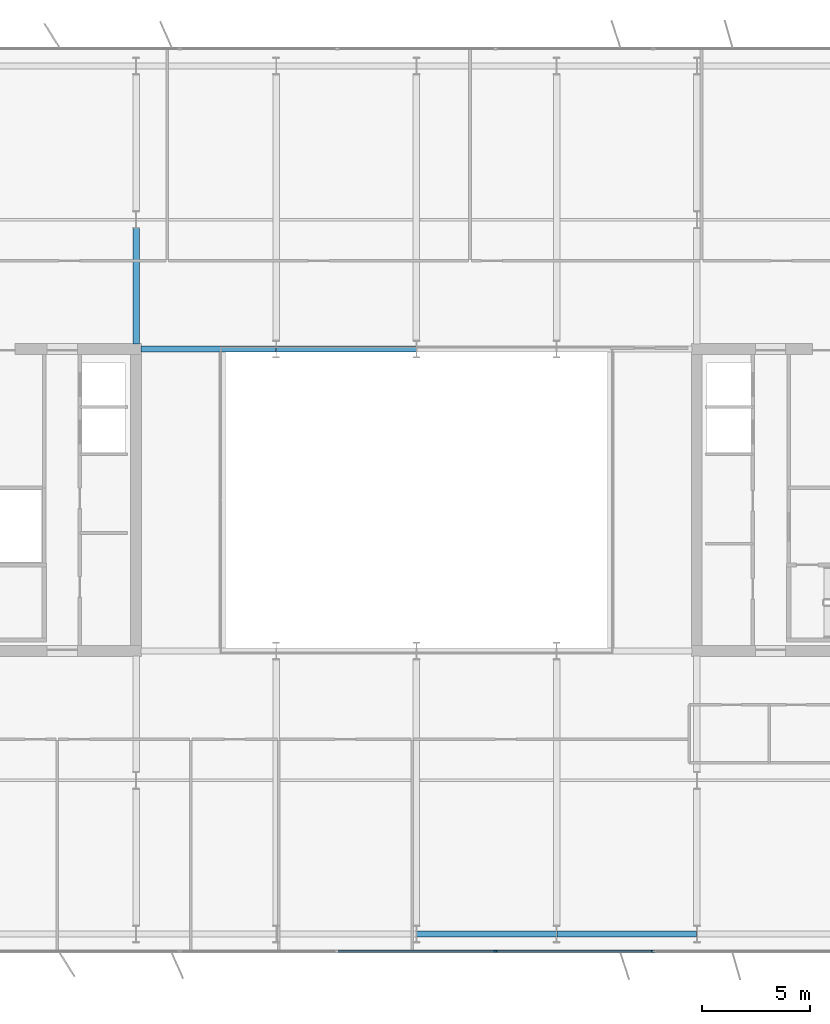
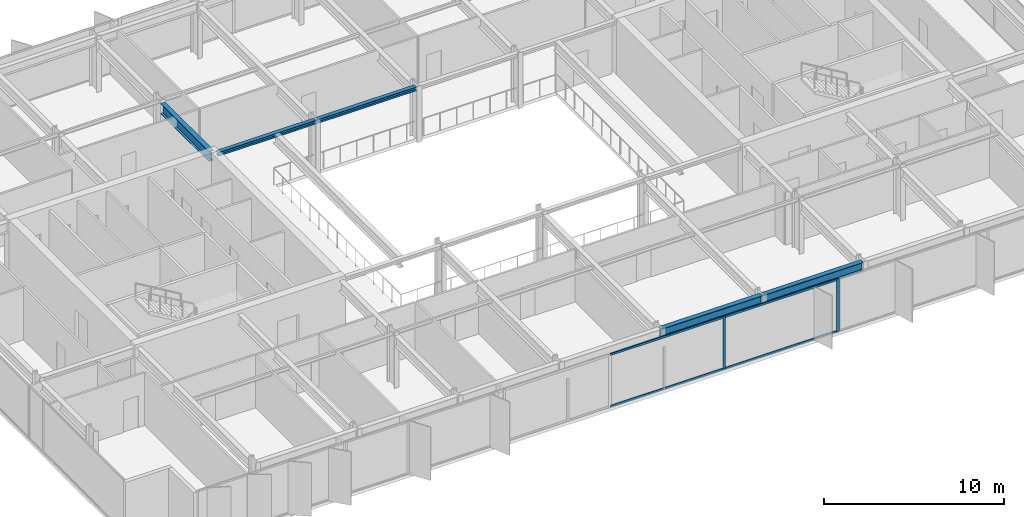
# One storey, part 6 of 23: 6 members, 5 beams, 1 element without a shape of its own.
"""IFC4 building model written with IfcOpenShell, lengths in metres."""

from ifc_helpers import new_model, si_unit, direction, frame, origin, origin_2d, place, context, subcontext, project, spatial, rectangle, i_section, extrude, material, layer, layer_set, material_profile, profile_set, type_object, element, aggregate, save


model = new_model("IFC4")

# Units and contexts
model_context = context("Model", 3, precision=1e-05, world=origin(), true_north=direction((0.0, 1.0)))
body_context = subcontext(model_context, "Body", "Model", "MODEL_VIEW")
ifc_project = project(units=[si_unit("LENGTHUNIT", "METRE"), si_unit("AREAUNIT", "SQUARE_METRE"), si_unit("VOLUMEUNIT", "CUBIC_METRE"), si_unit("PLANEANGLEUNIT", "RADIAN"), si_unit("MASSUNIT", "GRAM", prefix="KILO")], contexts=[model_context])

# Site, building, storey
site_placement = place(None, origin())
site = spatial("IfcSite", under=ifc_project, at=site_placement, CompositionType="ELEMENT")
building_placement = place(site_placement, origin())
building = spatial("IfcBuilding", under=site, at=building_placement, Name="Putna Gate Headquarters", CompositionType="ELEMENT")
storey_placement = place(building_placement, frame((0.0, 0.0, 217.60009765625)))
storey = spatial("IfcBuildingStorey", under=building, at=storey_placement, Name="L54", CompositionType="ELEMENT", Elevation=217.60009765625)

# Beams
ifc_material_1 = material(Name="Steel S355J2", Category="steel")
ifc_material_profile_1 = material_profile(ifc_material_1, i_section(OverallWidth=0.260009765625, OverallDepth=0.260009765625, WebThickness=0.010009765625, FlangeThickness=0.017578125, at=origin_2d()), Name="Steel S355J2")
ifc_profile_set_1 = profile_set([ifc_material_profile_1], Name="Steel S355J2")
beam_type_1 = type_object("IfcBeamType", Name="BM-ATRIUM-HEB260", PredefinedType="BEAM", material=ifc_profile_set_1)
beam_1_placement = place(storey_placement, frame((26.235107421875, 33.0, 3.449951171875), z_axis=(1.0, 0.0, 0.0), x_axis=(0.0, 1.0, 0.0)))
element("IfcBeam", 1, at=beam_1_placement, inside=storey, type_object=beam_type_1, Name="L54 Atrium Edge Beam AN1", PredefinedType="BEAM", context=body_context, shape_type="SweptSolid", body=[
    extrude(i_section(OverallWidth=0.260009765625, OverallDepth=0.260009765625, WebThickness=0.010009765625, FlangeThickness=0.017578125, at=origin_2d()), origin(), (0.0, 0.0, 1.0), 6.2587890625),
])
beam_2_placement = place(storey_placement, frame((32.506103515625, 33.0, 3.449951171875), z_axis=(1.0, 0.0, 0.0), x_axis=(0.0, 1.0, 0.0)))
element("IfcBeam", 2, at=beam_2_placement, inside=storey, type_object=beam_type_1, Name="L54 Atrium Edge Beam AN2", PredefinedType="BEAM", context=body_context, shape_type="SweptSolid", body=[
    extrude(i_section(OverallWidth=0.260009765625, OverallDepth=0.260009765625, WebThickness=0.010009765625, FlangeThickness=0.017578125, at=origin_2d()), origin(), (0.0, 0.0, 1.0), 6.48779296875),
])
ifc_material_profile_2 = material_profile(ifc_material_1, i_section(OverallWidth=0.300048828125, OverallDepth=0.699951171875, WebThickness=0.01708984375, FlangeThickness=0.031982421875, at=origin_2d()), Name="Steel S355J2")
ifc_profile_set_2 = profile_set([ifc_material_profile_2], Name="Steel S355J2")
beam_type_2 = type_object("IfcBeamType", Name="BM-GIRD-B-HEB700", PredefinedType="USERDEFINED", material=ifc_profile_set_2)
beam_3_placement = place(storey_placement, frame((26.0, 33.235107421875, 3.22998046875), z_axis=(0.0, 1.0, 0.0), x_axis=(-1.0, 0.0, 0.0)))
element("IfcBeam", 3, at=beam_3_placement, inside=storey, type_object=beam_type_2, Name="L54 North Primary Girder X26-1", ObjectType="GIRDER", PredefinedType="USERDEFINED", context=body_context, shape_type="SweptSolid", body=[
    extrude(i_section(OverallWidth=0.300048828125, OverallDepth=0.699951171875, WebThickness=0.01708984375, FlangeThickness=0.031982421875, at=origin_2d()), origin(), (0.0, 0.0, 1.0), 5.369873046875),
])
ifc_material_profile_3 = material_profile(ifc_material_1, i_section(OverallWidth=0.300048828125, OverallDepth=0.590087890625, WebThickness=0.012939453125, FlangeThickness=0.02490234375, at=origin_2d()), Name="Steel S355J2")
ifc_profile_set_3 = profile_set([ifc_material_profile_3], Name="Steel S355J2")
beam_type_3 = type_object("IfcBeamType", Name="BM-SPAN-Z4-HEA600", PredefinedType="SPANDREL", material=ifc_profile_set_3)
for number, where, z_axis, x_axis, name in (
    (4, (39.006103515625, 5.8798828125, 3.284912109375), (1.0, 0.0, 0.0), (0.0, 1.0, 0.0), "L54 S Perimeter Spandrel 5"),
    (5, (45.506103515625, 5.8798828125, 3.284912109375), (1.0, 0.0, 0.0), (0.0, 1.0, 0.0), "L54 S Perimeter Spandrel 6"),
):
    element("IfcBeam", number, at=place(storey_placement, frame(where, z_axis=z_axis, x_axis=x_axis)), inside=storey, type_object=beam_type_3, Name=name, PredefinedType="SPANDREL", context=body_context, shape_type="SweptSolid", body=[
        extrude(i_section(OverallWidth=0.300048828125, OverallDepth=0.590087890625, WebThickness=0.012939453125, FlangeThickness=0.02490234375, at=origin_2d()), origin(), (0.0, 0.0, 1.0), 6.48779296875),
    ])

# Curtain wall, members
ifc_material_2 = material(Name="Anodised bronze aluminium curtain wall", Category="aluminium")
ifc_layer = layer(ifc_material_2, 0.179931640625)
ifc_layer_set = layer_set([ifc_layer], Name="Anodised bronze aluminium curtain wall")
curtain_wall_type = type_object("IfcCurtainWallType", Name="CW-SYS-ATR", PredefinedType="USERDEFINED", material=ifc_layer_set)
curtain_wall_placement = place(storey_placement, origin())
curtain_wall = element("IfcCurtainWall", 6, at=curtain_wall_placement, inside=storey, type_object=curtain_wall_type, Name="L54 South Atrium Clear Glazing", ObjectType="ATRIUM GLAZING", PredefinedType="USERDEFINED")
ifc_material_3 = material(Name="Anodised bronze aluminium EN AW-6060", Category="aluminium")
ifc_material_profile_4 = material_profile(ifc_material_3, rectangle(XDim=0.070068359375, YDim=0.179931640625, at=origin_2d()), Name="Anodised bronze aluminium EN AW-6060")
ifc_profile_set_4 = profile_set([ifc_material_profile_4], Name="Anodised bronze aluminium EN AW-6060")
member_type_1 = type_object("IfcMemberType", Name="MULL-CWM-AT", PredefinedType="MULLION", material=ifc_profile_set_4)
member_1_placement = place(storey_placement, frame((42.666748046875, 5.080078125, 0.0), z_axis=(0.0, 0.0, 1.0), x_axis=(0.0, 1.0, 0.0)))
member_1 = element("IfcMember", 7, at=member_1_placement, type_object=member_type_1, Name="CWS-AT mullion 3", PredefinedType="MULLION", context=body_context, shape_type="SweptSolid", body=[
    extrude(rectangle(XDim=0.070068359375, YDim=0.179931640625, at=origin_2d()), origin(), (0.0, 0.0, 1.0), 3.579833984375),
])
member_2_placement = place(storey_placement, frame((49.965087890625, 5.080078125, 0.0), z_axis=(0.0, 0.0, 1.0), x_axis=(0.0, 1.0, 0.0)))
member_2 = element("IfcMember", 8, at=member_2_placement, type_object=member_type_1, Name="CWS-AT mullion 4", PredefinedType="MULLION", context=body_context, shape_type="SweptSolid", body=[
    extrude(rectangle(XDim=0.070068359375, YDim=0.179931640625, at=origin_2d()), origin(), (0.0, 0.0, 1.0), 3.579833984375),
])
ifc_material_profile_5 = material_profile(ifc_material_3, rectangle(XDim=0.070068359375, YDim=0.139892578125, at=origin_2d()), Name="Anodised bronze aluminium EN AW-6060")
ifc_profile_set_5 = profile_set([ifc_material_profile_5], Name="Anodised bronze aluminium EN AW-6060")
member_type_2 = type_object("IfcMemberType", Name="TRAN-CWT-AT", PredefinedType="USERDEFINED", material=ifc_profile_set_5)
member_3_placement = place(storey_placement, frame((35.368408203125, 5.080078125, 0.034912109375), z_axis=(1.0, 0.0, 0.0), x_axis=(0.0, 1.0, 0.0)))
member_3 = element("IfcMember", 9, at=member_3_placement, type_object=member_type_2, Name="CWS-AT transom 2.1", ObjectType="TRANSOM", PredefinedType="USERDEFINED", context=body_context, shape_type="SweptSolid", body=[
    extrude(rectangle(XDim=0.070068359375, YDim=0.139892578125, at=origin_2d()), origin(), (0.0, 0.0, 1.0), 7.26318359375),
])
member_4_placement = place(storey_placement, frame((35.368408203125, 5.080078125, 3.544921875), z_axis=(1.0, 0.0, 0.0), x_axis=(0.0, 1.0, 0.0)))
member_4 = element("IfcMember", 10, at=member_4_placement, type_object=member_type_2, Name="CWS-AT transom 2.2", ObjectType="TRANSOM", PredefinedType="USERDEFINED", context=body_context, shape_type="SweptSolid", body=[
    extrude(rectangle(XDim=0.070068359375, YDim=0.139892578125, at=origin_2d()), origin(), (0.0, 0.0, 1.0), 7.26318359375),
])
member_5_placement = place(storey_placement, frame((42.70166015625, 5.080078125, 0.034912109375), z_axis=(1.0, 0.0, 0.0), x_axis=(0.0, 1.0, 0.0)))
member_5 = element("IfcMember", 11, at=member_5_placement, type_object=member_type_2, Name="CWS-AT transom 3.1", ObjectType="TRANSOM", PredefinedType="USERDEFINED", context=body_context, shape_type="SweptSolid", body=[
    extrude(rectangle(XDim=0.070068359375, YDim=0.139892578125, at=origin_2d()), origin(), (0.0, 0.0, 1.0), 7.228271484375),
])
member_6_placement = place(storey_placement, frame((42.70166015625, 5.080078125, 3.544921875), z_axis=(1.0, 0.0, 0.0), x_axis=(0.0, 1.0, 0.0)))
member_6 = element("IfcMember", 12, at=member_6_placement, type_object=member_type_2, Name="CWS-AT transom 3.2", ObjectType="TRANSOM", PredefinedType="USERDEFINED", context=body_context, shape_type="SweptSolid", body=[
    extrude(rectangle(XDim=0.070068359375, YDim=0.139892578125, at=origin_2d()), origin(), (0.0, 0.0, 1.0), 7.228271484375),
])
aggregate(curtain_wall, [member_1, member_2, member_3, member_4, member_5, member_6])

save(model, "model.ifc")
